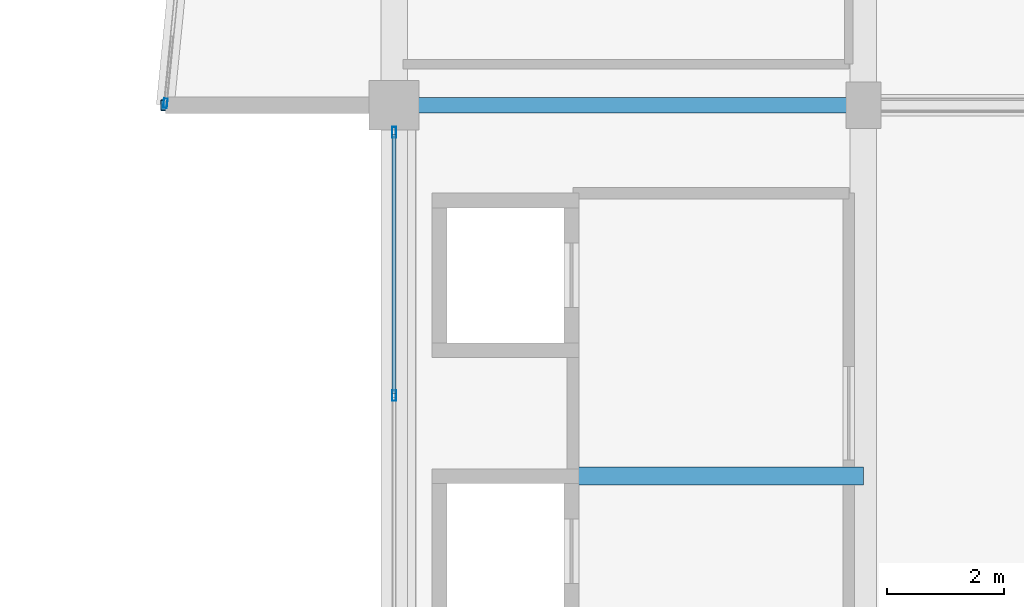
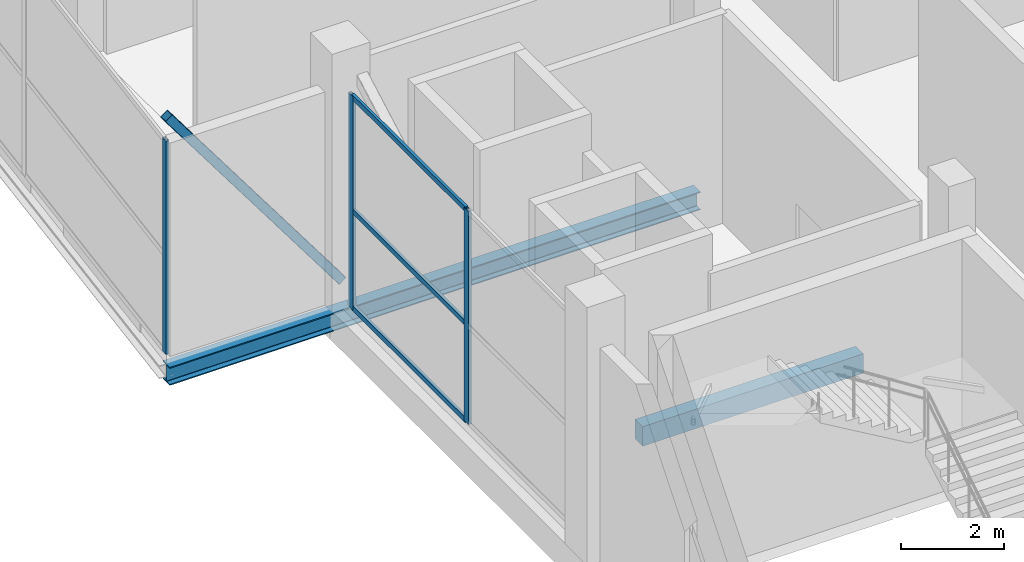
# One storey, part 7 of 58: 7 members, 2 beams, 2 elements without a shape of their own.
"""IFC4 building model written with IfcOpenShell, lengths in metres."""

from ifc_helpers import new_model, si_unit, direction, frame, origin, origin_2d, place, context, subcontext, project, spatial, rectangle, hollow_rectangle, i_section, extrude, material, layer, layer_set, material_profile, profile_set, type_object, element, aggregate, save


model = new_model("IFC4")

# Units and contexts
model_context = context("Model", 3, precision=1e-05, world=origin(), true_north=direction((0.0, 1.0)))
body_context = subcontext(model_context, "Body", "Model", "MODEL_VIEW")
ifc_project = project(units=[si_unit("LENGTHUNIT", "METRE"), si_unit("AREAUNIT", "SQUARE_METRE"), si_unit("VOLUMEUNIT", "CUBIC_METRE"), si_unit("PLANEANGLEUNIT", "RADIAN"), si_unit("MASSUNIT", "GRAM", prefix="KILO")], contexts=[model_context])

# Site, building, storey
site_placement = place(None, origin())
site = spatial("IfcSite", under=ifc_project, at=site_placement, CompositionType="ELEMENT")
building_placement = place(site_placement, origin())
building = spatial("IfcBuilding", under=site, at=building_placement, Name="Sillaruma Civic Art Gallery", CompositionType="ELEMENT")
storey_placement = place(building_placement, frame((0.0, 0.0, 22.43994140625)))
storey = spatial("IfcBuildingStorey", under=building, at=storey_placement, Name="L04", CompositionType="ELEMENT", Elevation=22.43994140625)

# Beams
ifc_material_1 = material(Name="Concrete H35 (35 MPa)", Category="concrete")
ifc_material_profile_1 = material_profile(ifc_material_1, rectangle(XDim=0.300048828125, YDim=0.4599609375, at=origin_2d()), Name="RCB300x460")
ifc_profile_set_1 = profile_set([ifc_material_profile_1], Name="Concrete H35 (35 MPa)")
beam_type_1 = type_object("IfcBeamType", Name="BM-LINTEL-RCB300x460", PredefinedType="LINTEL", material=ifc_profile_set_1)
beam_1_placement = place(storey_placement, frame((65.050048828125, 43.179931640625, -0.489990234375), z_axis=(1.0, 0.0, 0.0), x_axis=(0.0, 1.0, 0.0)))
element("IfcBeam", 1, at=beam_1_placement, inside=storey, type_object=beam_type_1, Name="Core Portal Coupling Lintel BL-01 (L03:PL1)", PredefinedType="LINTEL", context=body_context, shape_type="SweptSolid", body=[
    extrude(rectangle(XDim=0.300048828125, YDim=0.4599609375, at=origin_2d()), origin(), (0.0, 0.0, 1.0), 4.949951171875),
])
ifc_material_2 = material(Name="Structural Steel ASTM A992 Gr.50", Category="steel")
ifc_material_profile_2 = material_profile(ifc_material_2, i_section(OverallWidth=0.264892578125, OverallDepth=0.430908203125, WebThickness=0.014892578125, FlangeThickness=0.02490234375, FilletRadius=0.012939453125, at=origin_2d()), Name="W410x149")
ifc_profile_set_2 = profile_set([ifc_material_profile_2], Name="Structural Steel ASTM A992 Gr.50")
beam_type_2 = type_object("IfcBeamType", Name="BM-PROW-W410x149", PredefinedType="BEAM", material=ifc_profile_set_2)
beam_2_placement = place(storey_placement, frame((70.0, 49.5, -0.475341796875), z_axis=(-1.0, 0.0, 0.0), x_axis=(0.0, -1.0, 0.0)))
element("IfcBeam", 2, at=beam_2_placement, inside=storey, type_object=beam_type_2, Name="Back-Spanned Prow Beam (PRW-L04-W-FLR-S)", PredefinedType="BEAM", context=body_context, shape_type="SweptSolid", body=[
    extrude(i_section(OverallWidth=0.264892578125, OverallDepth=0.430908203125, WebThickness=0.014892578125, FlangeThickness=0.02490234375, FilletRadius=0.012939453125, at=origin_2d()), origin(), (0.0, 0.0, 1.0), 11.89990234375),
])

# Curtain wall, member
ifc_material_3 = material(Name="Thermally Broken Extruded Aluminium 6063-T6", Category="aluminium")
ifc_layer_1 = layer(ifc_material_3, 0.159912109375, Name="Thermally Broken Extruded Aluminium 6063-T6")
ifc_layer_set_1 = layer_set([ifc_layer_1], Name="Thermally Broken Extruded Aluminium 6063-T6")
curtain_wall_type_1 = type_object("IfcCurtainWallType", Name="CW-UNI-25", PredefinedType="NOTDEFINED", material=ifc_layer_set_1)
curtain_wall_1_placement = place(storey_placement, origin())
curtain_wall_1 = element("IfcCurtainWall", 3, at=curtain_wall_1_placement, inside=storey, type_object=curtain_wall_type_1, Name="Unitised Curtain Wall CW-25 (CW-PRW-L04-W-ANG)", PredefinedType="NOTDEFINED")
ifc_material_profile_3 = material_profile(ifc_material_3, hollow_rectangle(XDim=0.06494140625, YDim=0.159912109375, WallThickness=0.00390625, at=origin_2d()), Name="CWM65x160")
ifc_profile_set_3 = profile_set([ifc_material_profile_3], Name="Thermally Broken Extruded Aluminium 6063-T6")
member_type_1 = type_object("IfcMemberType", Name="MEM-MUL-CWM65x160", PredefinedType="MULLION", material=ifc_profile_set_3)
member_1_placement = place(storey_placement, frame((58.103271484375, 49.5322265625, 0.0), z_axis=(0.0, 0.0, 1.0), x_axis=(0.99518536297, -0.098010679679, 0.0)))
member_1 = element("IfcMember", 4, at=member_1_placement, type_object=member_type_1, Name="CW-25 mullion 4", PredefinedType="MULLION", context=body_context, shape_type="SweptSolid", body=[
    extrude(hollow_rectangle(XDim=0.06494140625, YDim=0.159912109375, WallThickness=0.00390625, at=origin_2d()), origin(), (0.0, 0.0, 1.0), 5.06005859375),
])
aggregate(curtain_wall_1, [member_1])

# Curtain wall, members
ifc_layer_2 = layer(ifc_material_3, 0.179931640625, Name="Thermally Broken Extruded Aluminium 6063-T6")
ifc_layer_set_2 = layer_set([ifc_layer_2], Name="Thermally Broken Extruded Aluminium 6063-T6")
curtain_wall_type_2 = type_object("IfcCurtainWallType", Name="CW-UNI-21", PredefinedType="NOTDEFINED", material=ifc_layer_set_2)
curtain_wall_2_placement = place(storey_placement, origin())
curtain_wall_2 = element("IfcCurtainWall", 5, at=curtain_wall_2_placement, inside=storey, type_object=curtain_wall_type_2, Name="Unitised Curtain Wall CW-21 (CW-L04-W-3)", PredefinedType="NOTDEFINED")
ifc_material_profile_4 = material_profile(ifc_material_3, hollow_rectangle(XDim=0.070068359375, YDim=0.179931640625, WallThickness=0.00390625, at=origin_2d()), Name="CWM70x180")
ifc_profile_set_4 = profile_set([ifc_material_profile_4], Name="Thermally Broken Extruded Aluminium 6063-T6")
member_type_2 = type_object("IfcMemberType", Name="MEM-MUL-CWM70x180", PredefinedType="MULLION", material=ifc_profile_set_4)
member_2_placement = place(storey_placement, frame((62.0, 44.550048828125, 0.0), z_axis=(0.0, 0.0, 1.0), x_axis=(-1.0, 0.0, 0.0)))
member_2 = element("IfcMember", 6, at=member_2_placement, type_object=member_type_2, Name="CW-21 mullion 2", PredefinedType="MULLION", context=body_context, shape_type="SweptSolid", body=[
    extrude(hollow_rectangle(XDim=0.070068359375, YDim=0.179931640625, WallThickness=0.00390625, at=origin_2d()), origin(), (0.0, 0.0, 1.0), 5.06005859375),
])
member_3_placement = place(storey_placement, frame((62.0, 49.0400390625, 0.0), z_axis=(0.0, 0.0, 1.0), x_axis=(-1.0, 0.0, 0.0)))
member_3 = element("IfcMember", 7, at=member_3_placement, type_object=member_type_2, Name="CW-21 mullion 3", PredefinedType="MULLION", context=body_context, shape_type="SweptSolid", body=[
    extrude(hollow_rectangle(XDim=0.070068359375, YDim=0.179931640625, WallThickness=0.00390625, at=origin_2d()), origin(), (0.0, 0.0, 1.0), 5.06005859375),
])

# Member
ifc_material_4 = material(Name="Structural Steel ASTM A500 Gr.C", Category="steel")
ifc_material_profile_5 = material_profile(ifc_material_4, hollow_rectangle(XDim=0.199951171875, YDim=0.199951171875, WallThickness=0.010009765625, InnerFilletRadius=0.010009765625, OuterFilletRadius=0.02001953125, at=origin_2d()), Name="HSS200x200x10")
ifc_profile_set_5 = profile_set([ifc_material_profile_5], Name="Structural Steel ASTM A500 Gr.C")
member_type_3 = type_object("IfcMemberType", Name="MEM-PROW-BRACE", PredefinedType="BRACE", material=ifc_profile_set_5)
member_4_placement = place(storey_placement, frame((62.0, 49.5, 0.400146484375), z_axis=(-0.598194977774, 0.0, 0.801350590295), x_axis=(0.0, -1.0, 0.0)))
element("IfcMember", 8, at=member_4_placement, inside=storey, type_object=member_type_3, Name="Deconstructivist Prow Diagonal Brace (PRW-L04-W-ROF-S)", PredefinedType="BRACE", context=body_context, shape_type="SweptSolid", body=[
    extrude(hollow_rectangle(XDim=0.199951171875, YDim=0.199951171875, WallThickness=0.010009765625, InnerFilletRadius=0.010009765625, OuterFilletRadius=0.02001953125, at=origin_2d()), origin(), (0.0, 0.0, 1.0), 6.51953125),
])

ifc_material_profile_6 = material_profile(ifc_material_3, hollow_rectangle(XDim=0.06494140625, YDim=0.1201171875, WallThickness=0.00341796875, at=origin_2d()), Name="CWT65x120")
ifc_profile_set_6 = profile_set([ifc_material_profile_6], Name="Thermally Broken Extruded Aluminium 6063-T6")
member_type_4 = type_object("IfcMemberType", Name="MEM-TRN-CWT65x120", PredefinedType="USERDEFINED", material=ifc_profile_set_6)
member_5_placement = place(storey_placement, frame((62.0, 44.5849609375, 0.032470703125), z_axis=(0.0, 1.0, 0.0), x_axis=(-1.0, 0.0, 0.0)))
member_5 = element("IfcMember", 9, at=member_5_placement, type_object=member_type_4, Name="CW-21 transom 2.1", ObjectType="TRANSOM", PredefinedType="USERDEFINED", context=body_context, shape_type="SweptSolid", body=[
    extrude(hollow_rectangle(XDim=0.06494140625, YDim=0.1201171875, WallThickness=0.00341796875, at=origin_2d()), origin(), (0.0, 0.0, 1.0), 4.419921875),
])

member_6_placement = place(storey_placement, frame((62.0, 44.5849609375, 2.32763671875), z_axis=(0.0, 1.0, 0.0), x_axis=(-1.0, 0.0, 0.0)))
member_6 = element("IfcMember", 10, at=member_6_placement, type_object=member_type_4, Name="CW-21 transom 2.2", ObjectType="TRANSOM", PredefinedType="USERDEFINED", context=body_context, shape_type="SweptSolid", body=[
    extrude(hollow_rectangle(XDim=0.06494140625, YDim=0.1201171875, WallThickness=0.00341796875, at=origin_2d()), origin(), (0.0, 0.0, 1.0), 4.419921875),
])

member_7_placement = place(storey_placement, frame((62.0, 44.5849609375, 5.027587890625), z_axis=(0.0, 1.0, 0.0), x_axis=(-1.0, 0.0, 0.0)))
member_7 = element("IfcMember", 11, at=member_7_placement, type_object=member_type_4, Name="CW-21 transom 2.3", ObjectType="TRANSOM", PredefinedType="USERDEFINED", context=body_context, shape_type="SweptSolid", body=[
    extrude(hollow_rectangle(XDim=0.06494140625, YDim=0.1201171875, WallThickness=0.00341796875, at=origin_2d()), origin(), (0.0, 0.0, 1.0), 4.419921875),
])

aggregate(curtain_wall_2, [member_2, member_3, member_5, member_6, member_7])

save(model, "model.ifc")
